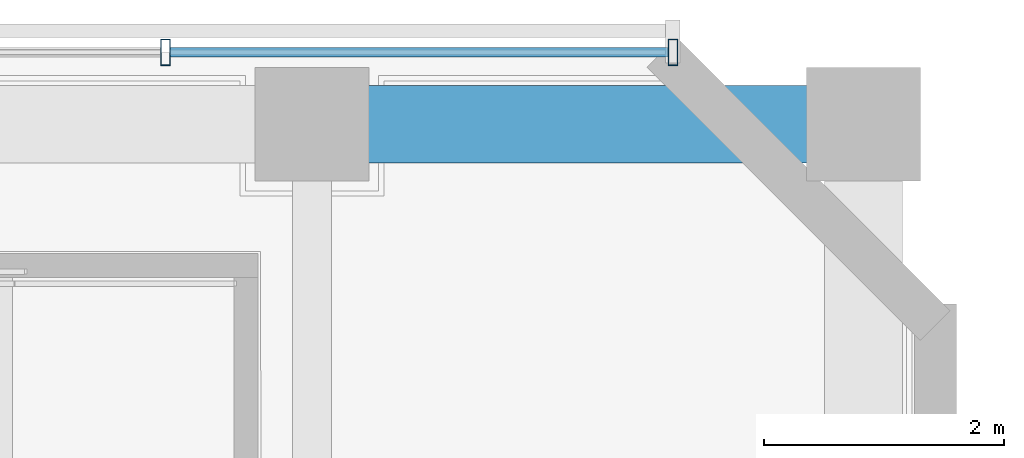
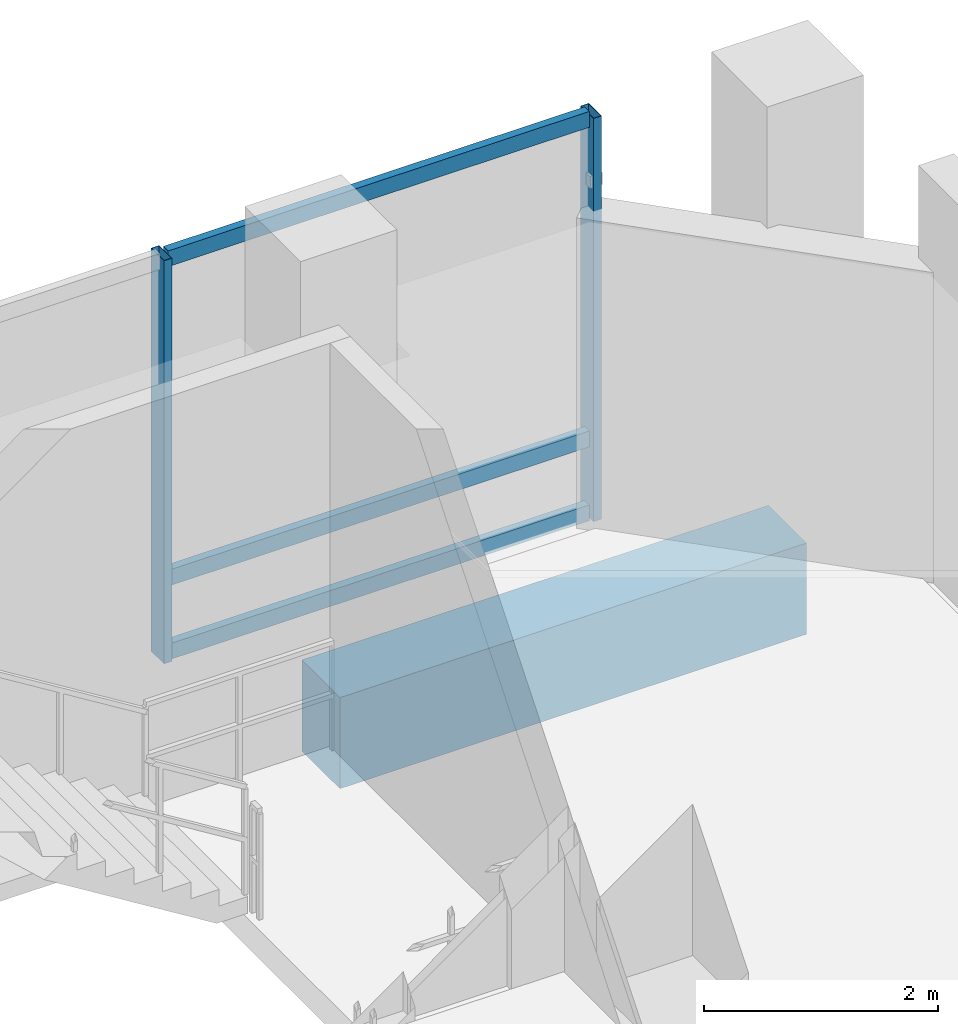
# One storey, part 18 of 36: 5 members, 1 beam, 1 element without a shape of its own.
"""IFC4 building model written with IfcOpenShell, lengths in metres."""

from ifc_helpers import new_model, si_unit, direction, frame, origin, origin_2d, place, context, subcontext, project, spatial, rectangle, hollow_rectangle, extrude, source, transform, mapped, material, material_profile, profile_set, type_object, element, aggregate, save


model = new_model("IFC4")

# Units and contexts
model_context = context("Model", 3, precision=1e-05, world=origin(), true_north=direction((-0.2419218956, 0.970295726276)))
body_context = subcontext(model_context, "Body", "Model", "MODEL_VIEW")
ifc_project = project(units=[si_unit("LENGTHUNIT", "METRE"), si_unit("AREAUNIT", "SQUARE_METRE"), si_unit("VOLUMEUNIT", "CUBIC_METRE"), si_unit("PLANEANGLEUNIT", "RADIAN"), si_unit("MASSUNIT", "GRAM", prefix="KILO")], contexts=[model_context])

# Site, building, storey
site_placement = place(None, origin())
site = spatial("IfcSite", under=ifc_project, at=site_placement, CompositionType="ELEMENT")
building_placement = place(site_placement, origin())
building = spatial("IfcBuilding", under=site, at=building_placement, Name="Cobrevalo Terracotta Tower", CompositionType="ELEMENT")
storey_placement = place(building_placement, frame((0.0, 0.0, 9.89990234375)))
storey = spatial("IfcBuildingStorey", under=building, at=storey_placement, Name="L02", CompositionType="ELEMENT", Elevation=9.89990234375)

# Beam
ifc_material_1 = material(Name="Concrete C50", Category="concrete")
ifc_material_profile_1 = material_profile(ifc_material_1, rectangle(XDim=0.64990234375, YDim=0.949951171875, at=origin_2d()), Name="RC BM 650x950")
ifc_profile_set_1 = profile_set([ifc_material_profile_1], Name="Concrete C50")
beam_type = type_object("IfcBeamType", Name="Structural Spandrel RC BM 650x950 (Concrete C50)", PredefinedType="SPANDREL", material=ifc_profile_set_1)
beam_placement = place(storey_placement, frame((67.0, 50.800048828125, -0.77490234375), z_axis=(1.0, 0.0, 0.0), x_axis=(0.0, 1.0, 0.0)))
element("IfcBeam", 1, at=beam_placement, inside=storey, type_object=beam_type, Name="L02 podium grid beam G8-GG to G9-GG", PredefinedType="SPANDREL", context=body_context, shape_type="SweptSolid", body=[
    extrude(rectangle(XDim=0.64990234375, YDim=0.949951171875, at=origin_2d()), origin(), (0.0, 0.0, 1.0), 4.60009765625),
])

# Curtain wall, members
ifc_material_2 = material(Name="Anodized aluminium", Category="aluminium")
curtain_wall_type = type_object("IfcCurtainWallType", Name="Podium gallery & conservatory curtain wall CW-S2", PredefinedType="NOTDEFINED", material=ifc_material_2)
curtain_wall_placement = place(storey_placement, origin())
curtain_wall = element("IfcCurtainWall", 2, at=curtain_wall_placement, inside=storey, type_object=curtain_wall_type, Name="L02 curtain wall CW-POD-L02-N", PredefinedType="NOTDEFINED")
ifc_material_profile_2 = material_profile(ifc_material_2, hollow_rectangle(XDim=0.080078125, YDim=0.219970703125, WallThickness=0.0048828125, at=origin_2d()), Name="CWM 80x220")
ifc_profile_set_2 = profile_set([ifc_material_profile_2], Name="Anodized aluminium")
member_type_1 = type_object("IfcMemberType", Name="Storefront & atrium aluminium mullion 80x220", PredefinedType="MULLION", material=ifc_profile_set_2)
shared_shape_1 = source(origin(), body_context, "Body", "SweptSolid", [
    extrude(hollow_rectangle(XDim=0.080078125, YDim=0.219970703125, WallThickness=0.0048828125, at=origin_2d()), origin(), (0.0, 0.0, 1.0), 4.2001953125),
])
member_1_placement = place(storey_placement, frame((70.010009765625, 51.39990234375, 0.0), z_axis=(0.0, 0.0, 1.0), x_axis=(-1.0, 0.0, 0.0)))
member_1 = element("IfcMember", 3, at=member_1_placement, type_object=member_type_1, Name="CW-POD-L02-N vertical mullion 01", PredefinedType="MULLION", context=body_context, shape_type="MappedRepresentation", body=[
    mapped(shared_shape_1, transform((0.0, 0.0, 0.0), scale=1.0)),
])
member_2_placement = place(storey_placement, frame((65.776611328125, 51.39990234375, 0.0), z_axis=(0.0, 0.0, 1.0), x_axis=(-1.0, 0.0, 0.0)))
member_2 = element("IfcMember", 4, at=member_2_placement, type_object=member_type_1, Name="CW-POD-L02-N vertical mullion 02", PredefinedType="MULLION", context=body_context, shape_type="MappedRepresentation", body=[
    mapped(shared_shape_1, transform((0.0, 0.0, 0.0), scale=1.0)),
])
ifc_material_profile_3 = material_profile(ifc_material_2, hollow_rectangle(XDim=0.080078125, YDim=0.1650390625, WallThickness=0.00439453125, at=origin_2d()), Name="CWT 80x165")
ifc_profile_set_3 = profile_set([ifc_material_profile_3], Name="Anodized aluminium")
member_type_2 = type_object("IfcMemberType", Name="Storefront & atrium aluminium transom 80x165", PredefinedType="USERDEFINED", material=ifc_profile_set_3)
shared_shape_2 = source(origin(), body_context, "Body", "SweptSolid", [
    extrude(hollow_rectangle(XDim=0.080078125, YDim=0.1650390625, WallThickness=0.00439453125, at=origin_2d()), origin(), (0.0, 0.0, 1.0), 4.1533203125),
])
member_3_placement = place(storey_placement, frame((69.969970703125, 51.39990234375, 0.050048828125), z_axis=(-1.0, 0.0, 0.0), x_axis=(0.0, -1.0, 0.0)))
member_3 = element("IfcMember", 5, at=member_3_placement, type_object=member_type_2, Name="CW-POD-L02-N transom B01-T1", ObjectType="TRANSOM", PredefinedType="USERDEFINED", context=body_context, shape_type="MappedRepresentation", body=[
    mapped(shared_shape_2, transform((0.0, 0.0, 0.0), scale=1.0)),
])
member_4_placement = place(storey_placement, frame((69.969970703125, 51.39990234375, 0.820068359375), z_axis=(-1.0, 0.0, 0.0), x_axis=(0.0, -1.0, 0.0)))
member_4 = element("IfcMember", 6, at=member_4_placement, type_object=member_type_2, Name="CW-POD-L02-N transom B01-T2", ObjectType="TRANSOM", PredefinedType="USERDEFINED", context=body_context, shape_type="MappedRepresentation", body=[
    mapped(shared_shape_2, transform((0.0, 0.0, 0.0), scale=1.0)),
])
member_5_placement = place(storey_placement, frame((69.969970703125, 51.39990234375, 4.150146484375), z_axis=(-1.0, 0.0, 0.0), x_axis=(0.0, -1.0, 0.0)))
member_5 = element("IfcMember", 7, at=member_5_placement, type_object=member_type_2, Name="CW-POD-L02-N transom B01-T3", ObjectType="TRANSOM", PredefinedType="USERDEFINED", context=body_context, shape_type="MappedRepresentation", body=[
    mapped(shared_shape_2, transform((0.0, 0.0, 0.0), scale=1.0)),
])
aggregate(curtain_wall, [member_1, member_2, member_3, member_4, member_5])

save(model, "model.ifc")
